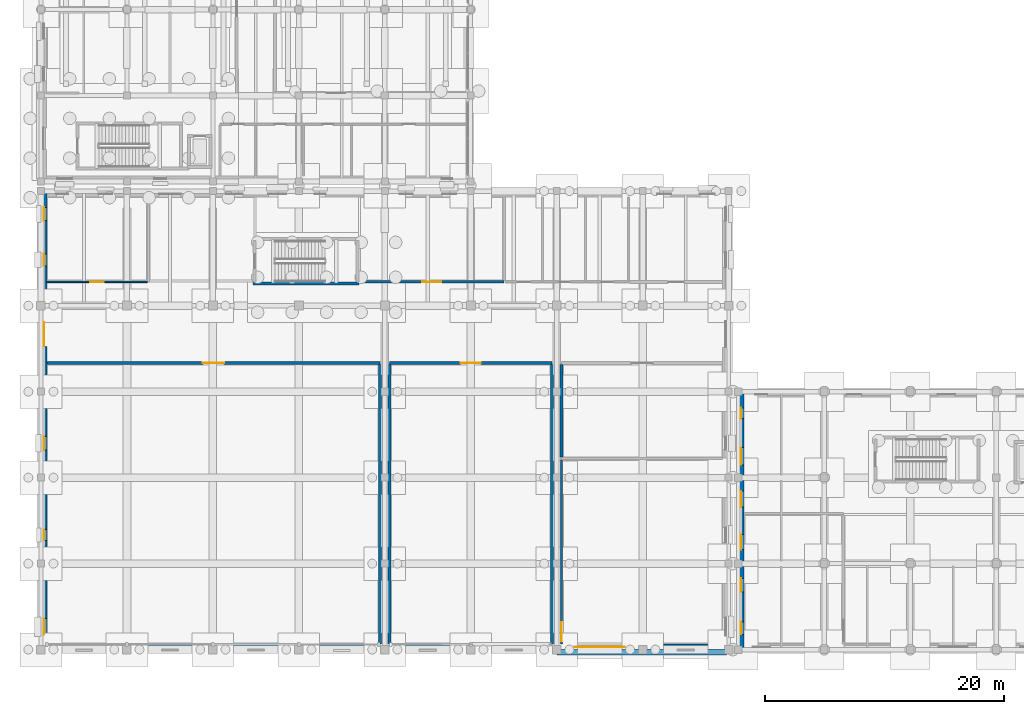
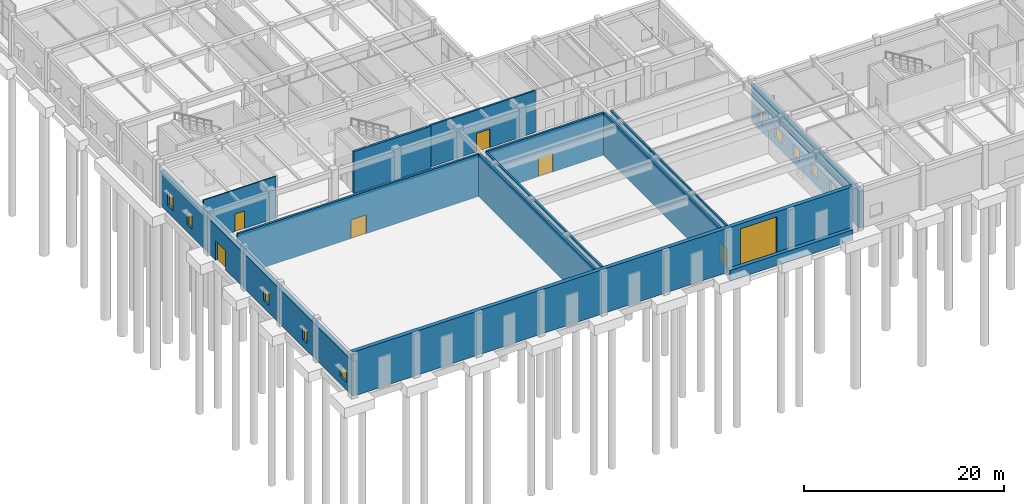
# One storey, part 65 of 91: 14 walls, 11 windows, 7 doors, 18 openings.
"""IFC4 building model written with IfcOpenShell, lengths in metres."""

from ifc_helpers import new_model, si_unit, direction, frame, frame_2d, origin, place, context, subcontext, project, spatial, rectangle, extrude, material, layer, layer_set, type_object, element, fill, save


model = new_model("IFC4")

# Units and contexts
model_context = context("Model", 3, precision=1e-05, world=origin(), true_north=direction((0.0, 1.0)))
body_context = subcontext(model_context, "Body", "Model", "MODEL_VIEW")
ifc_project = project(units=[si_unit("LENGTHUNIT", "METRE"), si_unit("AREAUNIT", "SQUARE_METRE"), si_unit("VOLUMEUNIT", "CUBIC_METRE"), si_unit("PLANEANGLEUNIT", "RADIAN"), si_unit("MASSUNIT", "GRAM", prefix="KILO")], contexts=[model_context])

# Site, building, storey
site_placement = place(None, origin())
site = spatial("IfcSite", under=ifc_project, at=site_placement, CompositionType="ELEMENT")
building_placement = place(site_placement, origin())
building = spatial("IfcBuilding", under=site, at=building_placement, Name="Bramveld Media Centre", CompositionType="ELEMENT")
storey_placement = place(building_placement, origin())
storey = spatial("IfcBuildingStorey", under=building, at=storey_placement, Name="L00", CompositionType="ELEMENT", Elevation=0.0)

# Wall
ifc_material_1 = material(Name="Concrete C40/50 stair & lift core wall", Category="concrete")
ifc_layer_1 = layer(ifc_material_1, 0.25)
ifc_layer_set_1 = layer_set([ifc_layer_1], Name="Concrete C40/50 stair & lift core wall")
wall_type_1 = type_object("IfcWallType", Name="CWALL-SHEAR-250", PredefinedType="SHEAR", material=ifc_layer_set_1)
wall_1_placement = place(storey_placement, frame((17.75, 30.675048828125, 0.0), z_axis=(0.0, 0.0, 1.0), x_axis=(1.0, 0.0, 0.0)))
element("IfcWall", 1, at=wall_1_placement, inside=storey, type_object=wall_type_1, Name="ST-05 L00 stair core shear wall S", PredefinedType="SHEAR", context=body_context, shape_type="SweptSolid", body=[
    extrude(rectangle(XDim=8.89990234375, YDim=0.25, at=frame_2d((4.449951171875, 0.0))), origin(), (0.0, 0.0, 1.0), 5.10009765625),
])

# Wall, openings, door, windows
ifc_material_2 = material(Name="Double-leaf Concrete C40/50 cinema acoustic shell wall with brick outer leaf", Category="masonry")
ifc_layer_2 = layer(ifc_material_2, 0.5)
ifc_layer_set_2 = layer_set([ifc_layer_2], Name="Double-leaf Concrete C40/50 cinema acoustic shell wall with brick outer leaf")
wall_type_2 = type_object("IfcWallType", Name="EW-ACOU-500", PredefinedType="SOLIDWALL", material=ifc_layer_set_2)
wall_2_placement = place(storey_placement, frame((0.25, 0.0, 0.0), z_axis=(0.0, 0.0, 1.0), x_axis=(0.0, 1.0, 0.0)))
wall_2 = element("IfcWall", 2, at=wall_2_placement, inside=storey, type_object=wall_type_2, Name="V2 L00 W facing brick exterior wall", PredefinedType="SOLIDWALL", context=body_context, shape_type="SweptSolid", body=[
    extrude(rectangle(XDim=38.39990234375, YDim=0.5, at=frame_2d((19.199951171875, 0.0))), origin(), (0.0, 0.0, 1.0), 4.2548828125),
])
opening_1_placement = place(wall_2_placement, frame((25.39990234375, 0.0, 0.0)))
opening_1 = element("IfcOpeningElement", 3, at=opening_1_placement, cuts=wall_2, Name="Opening ED-08", PredefinedType="OPENING", context=body_context, shape_type="SweptSolid", body=[
    extrude(rectangle(XDim=2.0, YDim=2.35009765625, at=frame_2d((1.0, 1.175048828125))), frame((0.0, 0.261962890625, 0.0), z_axis=(0.0, -1.0, 0.0), x_axis=(1.0, 0.0, 0.0)), (0.0, 0.0, 1.0), 0.52392578125),
])
opening_2_placement = place(wall_2_placement, frame((1.2451171875, 0.0, 0.89990234375)))
opening_2 = element("IfcOpeningElement", 4, at=opening_2_placement, cuts=wall_2, Name="Opening W-11", PredefinedType="OPENING", context=body_context, shape_type="SweptSolid", body=[
    extrude(rectangle(XDim=1.35009765625, YDim=1.449951171875, at=frame_2d((0.675048828125, 0.72509765625))), frame((0.0, 0.261962890625, 0.0), z_axis=(0.0, -1.0, 0.0), x_axis=(1.0, 0.0, 0.0)), (0.0, 0.0, 1.0), 0.52392578125),
])
opening_3_placement = place(wall_2_placement, frame((9.14990234375, 0.0, 0.89990234375)))
opening_3 = element("IfcOpeningElement", 5, at=opening_3_placement, cuts=wall_2, Name="Opening W-13", PredefinedType="OPENING", context=body_context, shape_type="SweptSolid", body=[
    extrude(rectangle(XDim=0.89990234375, YDim=1.60009765625, at=frame_2d((0.449951171875, 0.800048828125))), frame((0.0, 0.261962890625, 0.0), z_axis=(0.0, -1.0, 0.0), x_axis=(1.0, 0.0, 0.0)), (0.0, 0.0, 1.0), 0.52392578125),
])
opening_4_placement = place(wall_2_placement, frame((16.705078125, 0.0, 0.89990234375)))
opening_4 = element("IfcOpeningElement", 6, at=opening_4_placement, cuts=wall_2, Name="Opening W-15", PredefinedType="OPENING", context=body_context, shape_type="SweptSolid", body=[
    extrude(rectangle(XDim=1.14990234375, YDim=1.60009765625, at=frame_2d((0.574951171875, 0.800048828125))), frame((0.0, 0.261962890625, 0.0), z_axis=(0.0, -1.0, 0.0), x_axis=(1.0, 0.0, 0.0)), (0.0, 0.0, 1.0), 0.52392578125),
])
opening_5_placement = place(wall_2_placement, frame((32.139892578125, 0.0, 0.89990234375)))
opening_5 = element("IfcOpeningElement", 7, at=opening_5_placement, cuts=wall_2, Name="Opening W-19", PredefinedType="OPENING", context=body_context, shape_type="SweptSolid", body=[
    extrude(rectangle(XDim=1.0, YDim=1.75, at=frame_2d((0.5, 0.875))), frame((0.0, 0.261962890625, 0.0), z_axis=(0.0, -1.0, 0.0), x_axis=(1.0, 0.0, 0.0)), (0.0, 0.0, 1.0), 0.52392578125),
])
opening_6_placement = place(wall_2_placement, frame((35.919921875, 0.0, 0.89990234375)))
opening_6 = element("IfcOpeningElement", 8, at=opening_6_placement, cuts=wall_2, Name="Opening W-20", PredefinedType="OPENING", context=body_context, shape_type="SweptSolid", body=[
    extrude(rectangle(XDim=1.1201171875, YDim=1.75, at=frame_2d((0.56005859375, 0.875))), frame((0.0, 0.261962890625, 0.0), z_axis=(0.0, -1.0, 0.0), x_axis=(1.0, 0.0, 0.0)), (0.0, 0.0, 1.0), 0.52392578125),
])
ifc_material_3 = material(Name="Insulated powder-coated bronze aluminium & laminated safety glass door", Category="aluminium")
door_type_1 = type_object("IfcDoorType", Name="DR-EXT-2000", OperationType="NOTDEFINED", PredefinedType="DOOR", material=ifc_material_3)
door_1_placement = place(opening_1_placement, origin())
door_1 = element("IfcDoor", 9, at=door_1_placement, inside=storey, type_object=door_type_1, Name="Exterior door ED-08", OperationType="DOUBLE_DOOR_SINGLE_SWING", OverallHeight=2.35009765625, OverallWidth=2.0, PredefinedType="DOOR", context=body_context, shape_type="SweptSolid", body=[
    extrude(rectangle(XDim=2.0, YDim=2.35009765625, at=frame_2d((1.0, 1.175048828125))), frame((0.0, 0.02490234375, 0.0), z_axis=(0.0, -1.0, 0.0), x_axis=(1.0, 0.0, 0.0)), (0.0, 0.0, 1.0), 0.050048828125),
])
fill(opening_1, door_1)
ifc_material_4 = material(Name="Thermally broken anodized bronze aluminium frame with triple acoustic glazing", Category="aluminium")
window_type_1 = type_object("IfcWindowType", Name="WIN-FAC-11", PartitioningType="SINGLE_PANEL", PredefinedType="WINDOW", material=ifc_material_4)
window_1_placement = place(opening_2_placement, origin())
window_1 = element("IfcWindow", 10, at=window_1_placement, inside=storey, type_object=window_type_1, Name="V2 L00 W acoustic facade window", OverallHeight=1.449951171875, OverallWidth=1.35009765625, PartitioningType="SINGLE_PANEL", PredefinedType="WINDOW", context=body_context, shape_type="SweptSolid", body=[
    extrude(rectangle(XDim=1.35009765625, YDim=1.449951171875, at=frame_2d((0.675048828125, 0.72509765625))), frame((0.0, 0.030029296875, 0.0), z_axis=(0.0, -1.0, 0.0), x_axis=(1.0, 0.0, 0.0)), (0.0, 0.0, 1.0), 0.06005859375),
])
fill(opening_2, window_1)
ifc_material_5 = material(Name="Thermally broken anodized bronze aluminium frame with triple acoustic glazing", Category="aluminium")
window_type_2 = type_object("IfcWindowType", Name="WIN-FAC-13", PartitioningType="SINGLE_PANEL", PredefinedType="WINDOW", material=ifc_material_5)
window_2_placement = place(opening_3_placement, origin())
window_2 = element("IfcWindow", 11, at=window_2_placement, inside=storey, type_object=window_type_2, Name="V2 L00 W acoustic facade window", OverallHeight=1.60009765625, OverallWidth=0.89990234375, PartitioningType="SINGLE_PANEL", PredefinedType="WINDOW", context=body_context, shape_type="SweptSolid", body=[
    extrude(rectangle(XDim=0.89990234375, YDim=1.60009765625, at=frame_2d((0.449951171875, 0.800048828125))), frame((0.0, 0.030029296875, 0.0), z_axis=(0.0, -1.0, 0.0), x_axis=(1.0, 0.0, 0.0)), (0.0, 0.0, 1.0), 0.06005859375),
])
fill(opening_3, window_2)
ifc_material_6 = material(Name="Thermally broken anodized bronze aluminium frame with triple acoustic glazing", Category="aluminium")
window_type_3 = type_object("IfcWindowType", Name="WIN-FAC-15", PartitioningType="SINGLE_PANEL", PredefinedType="WINDOW", material=ifc_material_6)
window_3_placement = place(opening_4_placement, origin())
window_3 = element("IfcWindow", 12, at=window_3_placement, inside=storey, type_object=window_type_3, Name="V2 L00 W acoustic facade window", OverallHeight=1.60009765625, OverallWidth=1.14990234375, PartitioningType="SINGLE_PANEL", PredefinedType="WINDOW", context=body_context, shape_type="SweptSolid", body=[
    extrude(rectangle(XDim=1.14990234375, YDim=1.60009765625, at=frame_2d((0.574951171875, 0.800048828125))), frame((0.0, 0.030029296875, 0.0), z_axis=(0.0, -1.0, 0.0), x_axis=(1.0, 0.0, 0.0)), (0.0, 0.0, 1.0), 0.06005859375),
])
fill(opening_4, window_3)
ifc_material_7 = material(Name="Thermally broken anodized bronze aluminium frame with triple acoustic glazing", Category="aluminium")
window_type_4 = type_object("IfcWindowType", Name="WIN-FAC-19", PartitioningType="SINGLE_PANEL", PredefinedType="WINDOW", material=ifc_material_7)
window_4_placement = place(opening_5_placement, origin())
window_4 = element("IfcWindow", 13, at=window_4_placement, inside=storey, type_object=window_type_4, Name="V2 L00 W acoustic facade window", OverallHeight=1.75, OverallWidth=1.0, PartitioningType="SINGLE_PANEL", PredefinedType="WINDOW", context=body_context, shape_type="SweptSolid", body=[
    extrude(rectangle(XDim=1.0, YDim=1.75, at=frame_2d((0.5, 0.875))), frame((0.0, 0.030029296875, 0.0), z_axis=(0.0, -1.0, 0.0), x_axis=(1.0, 0.0, 0.0)), (0.0, 0.0, 1.0), 0.06005859375),
])
fill(opening_5, window_4)
ifc_material_8 = material(Name="Thermally broken anodized bronze aluminium frame with triple acoustic glazing", Category="aluminium")
window_type_5 = type_object("IfcWindowType", Name="WIN-FAC-20", PartitioningType="SINGLE_PANEL", PredefinedType="WINDOW", material=ifc_material_8)
window_5_placement = place(opening_6_placement, origin())
window_5 = element("IfcWindow", 14, at=window_5_placement, inside=storey, type_object=window_type_5, Name="V2 L00 W acoustic facade window", OverallHeight=1.75, OverallWidth=1.1201171875, PartitioningType="SINGLE_PANEL", PredefinedType="WINDOW", context=body_context, shape_type="SweptSolid", body=[
    extrude(rectangle(XDim=1.1201171875, YDim=1.75, at=frame_2d((0.56005859375, 0.875))), frame((0.0, 0.030029296875, 0.0), z_axis=(0.0, -1.0, 0.0), x_axis=(1.0, 0.0, 0.0)), (0.0, 0.0, 1.0), 0.06005859375),
])
fill(opening_6, window_5)

# Wall, opening, door
ifc_material_9 = material(Name="Flemish red-brown clay facing brick cavity wall with concrete C35/45 inner leaf", Category="masonry")
ifc_layer_3 = layer(ifc_material_9, 0.4599609375)
ifc_layer_set_3 = layer_set([ifc_layer_3], Name="Flemish red-brown clay facing brick cavity wall with concrete C35/45 inner leaf")
wall_type_3 = type_object("IfcWallType", Name="EW-BRK-460", PredefinedType="SOLIDWALL", material=ifc_layer_set_3)
wall_3_placement = place(storey_placement, frame((57.60009765625, 0.22998046875, 0.0), z_axis=(0.0, 0.0, 1.0), x_axis=(-1.0, 0.0, 0.0)))
wall_3 = element("IfcWall", 15, at=wall_3_placement, inside=storey, type_object=wall_type_3, Name="V2 L00 S facing brick exterior wall", PredefinedType="SOLIDWALL", context=body_context, shape_type="SweptSolid", body=[
    extrude(rectangle(XDim=57.60009765625, YDim=0.4599609375, at=frame_2d((28.800048828125, 0.0))), origin(), (0.0, 0.0, 1.0), 5.39990234375),
])
opening_7_placement = place(wall_3_placement, frame((8.699951171875, 0.0, 0.0)))
opening_7 = element("IfcOpeningElement", 16, at=opening_7_placement, cuts=wall_3, Name="Opening LD-DOCK-01", PredefinedType="OPENING", context=body_context, shape_type="SweptSolid", body=[
    extrude(rectangle(XDim=4.199951171875, YDim=4.800048828125, at=frame_2d((2.10009765625, 2.39990234375))), frame((0.0, 0.241943359375, 0.0), z_axis=(0.0, -1.0, 0.0), x_axis=(1.0, 0.0, 0.0)), (0.0, 0.0, 1.0), 0.48388671875),
])
ifc_material_10 = material(Name="Insulated galvanized acoustic steel rolling shutter", Category="steel")
door_type_2 = type_object("IfcDoorType", Name="DR-DOCK-4200", OperationType="ROLLINGUP", PredefinedType="GATE", material=ifc_material_10)
door_2_placement = place(opening_7_placement, origin())
door_2 = element("IfcDoor", 17, at=door_2_placement, inside=storey, type_object=door_type_2, Name="Exterior door LD-DOCK-01", OperationType="ROLLINGUP", OverallHeight=4.800048828125, OverallWidth=4.199951171875, PredefinedType="GATE", context=body_context, shape_type="SweptSolid", body=[
    extrude(rectangle(XDim=4.199951171875, YDim=4.800048828125, at=frame_2d((2.10009765625, 2.39990234375))), frame((0.0, 0.02490234375, 0.0), z_axis=(0.0, -1.0, 0.0), x_axis=(1.0, 0.0, 0.0)), (0.0, 0.0, 1.0), 0.050048828125),
])
fill(opening_7, door_2)

# Wall, openings, windows
wall_4_placement = place(storey_placement, frame((58.6298828125, 0.0, 0.0), z_axis=(0.0, 0.0, 1.0), x_axis=(0.0, 1.0, 0.0)))
wall_4 = element("IfcWall", 18, at=wall_4_placement, inside=storey, type_object=wall_type_3, Name="V5 L00 W facing brick exterior wall", PredefinedType="SOLIDWALL", context=body_context, shape_type="SweptSolid", body=[
    extrude(rectangle(XDim=21.60009765625, YDim=0.4599609375, at=frame_2d((10.800048828125, 0.0))), origin(), (0.0, 0.0, 1.0), 4.544921875),
])
opening_8_placement = place(wall_4_placement, frame((1.27490234375, 0.0, 0.89990234375)))
opening_8 = element("IfcOpeningElement", 19, at=opening_8_placement, cuts=wall_4, Name="Opening W-08", PredefinedType="OPENING", context=body_context, shape_type="SweptSolid", body=[
    extrude(rectangle(XDim=1.050048828125, YDim=1.449951171875, at=frame_2d((0.52490234375, 0.72509765625))), frame((0.0, 0.241943359375, 0.0), z_axis=(0.0, -1.0, 0.0), x_axis=(1.0, 0.0, 0.0)), (0.0, 0.0, 1.0), 0.48388671875),
])
opening_9_placement = place(wall_4_placement, frame((4.824951171875, 0.0, 0.89990234375)))
opening_9 = element("IfcOpeningElement", 20, at=opening_9_placement, cuts=wall_4, Name="Opening W-09", PredefinedType="OPENING", context=body_context, shape_type="SweptSolid", body=[
    extrude(rectangle(XDim=1.14990234375, YDim=1.449951171875, at=frame_2d((0.574951171875, 0.72509765625))), frame((0.0, 0.241943359375, 0.0), z_axis=(0.0, -1.0, 0.0), x_axis=(1.0, 0.0, 0.0)), (0.0, 0.0, 1.0), 0.48388671875),
])
opening_10_placement = place(wall_4_placement, frame((8.375, 0.0, 0.89990234375)))
opening_10 = element("IfcOpeningElement", 21, at=opening_10_placement, cuts=wall_4, Name="Opening W-10", PredefinedType="OPENING", context=body_context, shape_type="SweptSolid", body=[
    extrude(rectangle(XDim=1.25, YDim=1.449951171875, at=frame_2d((0.625, 0.72509765625))), frame((0.0, 0.241943359375, 0.0), z_axis=(0.0, -1.0, 0.0), x_axis=(1.0, 0.0, 0.0)), (0.0, 0.0, 1.0), 0.48388671875),
])
opening_11_placement = place(wall_4_placement, frame((11.925048828125, 0.0, 0.89990234375)))
opening_11 = element("IfcOpeningElement", 22, at=opening_11_placement, cuts=wall_4, Name="Opening W-11", PredefinedType="OPENING", context=body_context, shape_type="SweptSolid", body=[
    extrude(rectangle(XDim=1.35009765625, YDim=1.449951171875, at=frame_2d((0.675048828125, 0.72509765625))), frame((0.0, 0.241943359375, 0.0), z_axis=(0.0, -1.0, 0.0), x_axis=(1.0, 0.0, 0.0)), (0.0, 0.0, 1.0), 0.48388671875),
])
opening_12_placement = place(wall_4_placement, frame((15.47509765625, 0.0, 0.89990234375)))
opening_12 = element("IfcOpeningElement", 23, at=opening_12_placement, cuts=wall_4, Name="Opening W-12", PredefinedType="OPENING", context=body_context, shape_type="SweptSolid", body=[
    extrude(rectangle(XDim=1.449951171875, YDim=1.449951171875, at=frame_2d((0.72509765625, 0.72509765625))), frame((0.0, 0.241943359375, 0.0), z_axis=(0.0, -1.0, 0.0), x_axis=(1.0, 0.0, 0.0)), (0.0, 0.0, 1.0), 0.48388671875),
])
opening_13_placement = place(wall_4_placement, frame((19.35009765625, 0.0, 0.89990234375)))
opening_13 = element("IfcOpeningElement", 24, at=opening_13_placement, cuts=wall_4, Name="Opening W-13", PredefinedType="OPENING", context=body_context, shape_type="SweptSolid", body=[
    extrude(rectangle(XDim=0.89990234375, YDim=1.60009765625, at=frame_2d((0.449951171875, 0.800048828125))), frame((0.0, 0.241943359375, 0.0), z_axis=(0.0, -1.0, 0.0), x_axis=(1.0, 0.0, 0.0)), (0.0, 0.0, 1.0), 0.48388671875),
])
ifc_material_11 = material(Name="Thermally broken anodized bronze aluminium frame with triple acoustic glazing", Category="aluminium")
window_type_6 = type_object("IfcWindowType", Name="WIN-FAC-08", PartitioningType="SINGLE_PANEL", PredefinedType="WINDOW", material=ifc_material_11)
window_6_placement = place(opening_8_placement, origin())
window_6 = element("IfcWindow", 25, at=window_6_placement, inside=storey, type_object=window_type_6, Name="V5 L00 W acoustic facade window", OverallHeight=1.449951171875, OverallWidth=1.050048828125, PartitioningType="SINGLE_PANEL", PredefinedType="WINDOW", context=body_context, shape_type="SweptSolid", body=[
    extrude(rectangle(XDim=1.050048828125, YDim=1.449951171875, at=frame_2d((0.52490234375, 0.72509765625))), frame((0.0, 0.030029296875, 0.0), z_axis=(0.0, -1.0, 0.0), x_axis=(1.0, 0.0, 0.0)), (0.0, 0.0, 1.0), 0.06005859375),
])
fill(opening_8, window_6)
ifc_material_12 = material(Name="Thermally broken anodized bronze aluminium frame with triple acoustic glazing", Category="aluminium")
window_type_7 = type_object("IfcWindowType", Name="WIN-FAC-09", PartitioningType="SINGLE_PANEL", PredefinedType="WINDOW", material=ifc_material_12)
window_7_placement = place(opening_9_placement, origin())
window_7 = element("IfcWindow", 26, at=window_7_placement, inside=storey, type_object=window_type_7, Name="V5 L00 W acoustic facade window", OverallHeight=1.449951171875, OverallWidth=1.14990234375, PartitioningType="SINGLE_PANEL", PredefinedType="WINDOW", context=body_context, shape_type="SweptSolid", body=[
    extrude(rectangle(XDim=1.14990234375, YDim=1.449951171875, at=frame_2d((0.574951171875, 0.72509765625))), frame((0.0, 0.030029296875, 0.0), z_axis=(0.0, -1.0, 0.0), x_axis=(1.0, 0.0, 0.0)), (0.0, 0.0, 1.0), 0.06005859375),
])
fill(opening_9, window_7)
ifc_material_13 = material(Name="Thermally broken anodized bronze aluminium frame with triple acoustic glazing", Category="aluminium")
window_type_8 = type_object("IfcWindowType", Name="WIN-FAC-10", PartitioningType="SINGLE_PANEL", PredefinedType="WINDOW", material=ifc_material_13)
window_8_placement = place(opening_10_placement, origin())
window_8 = element("IfcWindow", 27, at=window_8_placement, inside=storey, type_object=window_type_8, Name="V5 L00 W acoustic facade window", OverallHeight=1.449951171875, OverallWidth=1.25, PartitioningType="SINGLE_PANEL", PredefinedType="WINDOW", context=body_context, shape_type="SweptSolid", body=[
    extrude(rectangle(XDim=1.25, YDim=1.449951171875, at=frame_2d((0.625, 0.72509765625))), frame((0.0, 0.030029296875, 0.0), z_axis=(0.0, -1.0, 0.0), x_axis=(1.0, 0.0, 0.0)), (0.0, 0.0, 1.0), 0.06005859375),
])
fill(opening_10, window_8)
window_9_placement = place(opening_11_placement, origin())
window_9 = element("IfcWindow", 28, at=window_9_placement, inside=storey, type_object=window_type_1, Name="V5 L00 W acoustic facade window", OverallHeight=1.449951171875, OverallWidth=1.35009765625, PartitioningType="SINGLE_PANEL", PredefinedType="WINDOW", context=body_context, shape_type="SweptSolid", body=[
    extrude(rectangle(XDim=1.35009765625, YDim=1.449951171875, at=frame_2d((0.675048828125, 0.72509765625))), frame((0.0, 0.030029296875, 0.0), z_axis=(0.0, -1.0, 0.0), x_axis=(1.0, 0.0, 0.0)), (0.0, 0.0, 1.0), 0.06005859375),
])
fill(opening_11, window_9)
ifc_material_14 = material(Name="Thermally broken anodized bronze aluminium frame with triple acoustic glazing", Category="aluminium")
window_type_9 = type_object("IfcWindowType", Name="WIN-FAC-12", PartitioningType="SINGLE_PANEL", PredefinedType="WINDOW", material=ifc_material_14)
window_10_placement = place(opening_12_placement, origin())
window_10 = element("IfcWindow", 29, at=window_10_placement, inside=storey, type_object=window_type_9, Name="V5 L00 W acoustic facade window", OverallHeight=1.449951171875, OverallWidth=1.449951171875, PartitioningType="SINGLE_PANEL", PredefinedType="WINDOW", context=body_context, shape_type="SweptSolid", body=[
    extrude(rectangle(XDim=1.449951171875, YDim=1.449951171875, at=frame_2d((0.72509765625, 0.72509765625))), frame((0.0, 0.030029296875, 0.0), z_axis=(0.0, -1.0, 0.0), x_axis=(1.0, 0.0, 0.0)), (0.0, 0.0, 1.0), 0.06005859375),
])
fill(opening_12, window_10)
window_11_placement = place(opening_13_placement, origin())
window_11 = element("IfcWindow", 30, at=window_11_placement, inside=storey, type_object=window_type_2, Name="V5 L00 W acoustic facade window", OverallHeight=1.60009765625, OverallWidth=0.89990234375, PartitioningType="SINGLE_PANEL", PredefinedType="WINDOW", context=body_context, shape_type="SweptSolid", body=[
    extrude(rectangle(XDim=0.89990234375, YDim=1.60009765625, at=frame_2d((0.449951171875, 0.800048828125))), frame((0.0, 0.030029296875, 0.0), z_axis=(0.0, -1.0, 0.0), x_axis=(1.0, 0.0, 0.0)), (0.0, 0.0, 1.0), 0.06005859375),
])
fill(opening_13, window_11)

# Wall, opening, door
ifc_material_15 = material(Name="Acoustic calcium-silicate & mineral-wool compartment partition", Category="masonry")
ifc_layer_4 = layer(ifc_material_15, 0.199951171875)
ifc_layer_set_4 = layer_set([ifc_layer_4], Name="Acoustic calcium-silicate & mineral-wool compartment partition")
wall_type_4 = type_object("IfcWallType", Name="IW-ACOU-200", PredefinedType="PARTITIONING", material=ifc_layer_set_4)
wall_5_placement = place(storey_placement, frame((43.60009765625, 0.469970703125, 0.0), z_axis=(0.0, 0.0, 1.0), x_axis=(0.0, 1.0, 0.0)))
wall_5 = element("IfcWall", 31, at=wall_5_placement, inside=storey, type_object=wall_type_4, Name="Scenic Dock & Acoustic Loading Bay partition wall", PredefinedType="PARTITIONING", context=body_context, shape_type="SweptSolid", body=[
    extrude(rectangle(XDim=15.419921875, YDim=0.199951171875, at=frame_2d((7.7099609375, 0.0))), origin(), (0.0, 0.0, 1.0), 5.14990234375),
])
opening_14_placement = place(wall_5_placement, frame((0.25, 0.0, 0.0)))
opening_14 = element("IfcOpeningElement", 32, at=opening_14_placement, cuts=wall_5, Name="Opening D-00-009", PredefinedType="OPENING", context=body_context, shape_type="SweptSolid", body=[
    extrude(rectangle(XDim=1.56005859375, YDim=2.25, at=frame_2d((0.780029296875, 1.125))), frame((0.0, 0.11181640625, 0.0), z_axis=(0.0, -1.0, 0.0), x_axis=(1.0, 0.0, 0.0)), (0.0, 0.0, 1.0), 0.223876953125),
])
ifc_material_16 = material(Name="Fire-rated acoustic timber & steel composite door", Category="steel")
door_type_3 = type_object("IfcDoorType", Name="DR-HALL-1560", OperationType="NOTDEFINED", PredefinedType="DOOR", material=ifc_material_16)
door_3_placement = place(opening_14_placement, origin())
door_3 = element("IfcDoor", 33, at=door_3_placement, inside=storey, type_object=door_type_3, Name="Scenic Dock & Acoustic Loading Bay entrance door", OperationType="DOUBLE_DOOR_SINGLE_SWING", OverallHeight=2.25, OverallWidth=1.56005859375, PredefinedType="DOOR", context=body_context, shape_type="SweptSolid", body=[
    extrude(rectangle(XDim=1.56005859375, YDim=2.25, at=frame_2d((0.780029296875, 1.125))), frame((0.0, 0.02490234375, 0.0), z_axis=(0.0, -1.0, 0.0), x_axis=(1.0, 0.0, 0.0)), (0.0, 0.0, 1.0), 0.050048828125),
])
fill(opening_14, door_3)

wall_6_placement = place(storey_placement, frame((26.659912109375, 30.800048828125, 0.0), z_axis=(0.0, 0.0, 1.0), x_axis=(1.0, 0.0, 0.0)))
wall_6 = element("IfcWall", 34, at=wall_6_placement, inside=storey, type_object=wall_type_4, Name="Wardrobe & Make-Up Suite partition wall", PredefinedType="PARTITIONING", context=body_context, shape_type="SweptSolid", body=[
    extrude(rectangle(XDim=12.14013671875, YDim=0.199951171875, at=frame_2d((6.070068359375, 0.0))), origin(), (0.0, 0.0, 1.0), 5.10009765625),
])
opening_15_placement = place(wall_6_placement, frame((5.2900390625, 0.0, 0.0)))
opening_15 = element("IfcOpeningElement", 35, at=opening_15_placement, cuts=wall_6, Name="Opening D-00-012", PredefinedType="OPENING", context=body_context, shape_type="SweptSolid", body=[
    extrude(rectangle(XDim=1.56005859375, YDim=2.25, at=frame_2d((0.780029296875, 1.125))), frame((0.0, 0.11181640625, 0.0), z_axis=(0.0, -1.0, 0.0), x_axis=(1.0, 0.0, 0.0)), (0.0, 0.0, 1.0), 0.223876953125),
])
door_4_placement = place(opening_15_placement, origin())
door_4 = element("IfcDoor", 36, at=door_4_placement, inside=storey, type_object=door_type_3, Name="Wardrobe & Make-Up Suite entrance door", OperationType="DOUBLE_DOOR_SINGLE_SWING", OverallHeight=2.25, OverallWidth=1.56005859375, PredefinedType="DOOR", context=body_context, shape_type="SweptSolid", body=[
    extrude(rectangle(XDim=1.56005859375, YDim=2.25, at=frame_2d((0.780029296875, 1.125))), frame((0.0, 0.02490234375, 0.0), z_axis=(0.0, -1.0, 0.0), x_axis=(1.0, 0.0, 0.0)), (0.0, 0.0, 1.0), 0.050048828125),
])
fill(opening_15, door_4)

ifc_material_17 = material(Name="Double-stud acoustic gypsum & mineral-wool studio wall", Category="gypsum")
ifc_layer_5 = layer(ifc_material_17, 0.239990234375)
ifc_layer_set_5 = layer_set([ifc_layer_5], Name="Double-stud acoustic gypsum & mineral-wool studio wall")
wall_type_5 = type_object("IfcWallType", Name="IW-ACOU-240", PredefinedType="PARTITIONING", material=ifc_layer_set_5)
wall_7_placement = place(storey_placement, frame((0.510009765625, 24.0, 0.0), z_axis=(0.0, 0.0, 1.0), x_axis=(1.0, 0.0, 0.0)))
wall_7 = element("IfcWall", 37, at=wall_7_placement, inside=storey, type_object=wall_type_5, Name="Live Broadcast Studio 1 Multicamera Floor partition wall", PredefinedType="PARTITIONING", context=body_context, shape_type="SweptSolid", body=[
    extrude(rectangle(XDim=27.889892578125, YDim=0.239990234375, at=frame_2d((13.94482421875, 0.0))), origin(), (0.0, 0.0, 1.0), 5.14990234375),
])
opening_16_placement = place(wall_7_placement, frame((13.06494140625, 0.0, 0.0)))
opening_16 = element("IfcOpeningElement", 38, at=opening_16_placement, cuts=wall_7, Name="Opening D-00-007", PredefinedType="OPENING", context=body_context, shape_type="SweptSolid", body=[
    extrude(rectangle(XDim=1.760009765625, YDim=2.300048828125, at=frame_2d((0.8798828125, 1.14990234375))), frame((0.0, 0.1318359375, 0.0), z_axis=(0.0, -1.0, 0.0), x_axis=(1.0, 0.0, 0.0)), (0.0, 0.0, 1.0), 0.263916015625),
])
ifc_material_18 = material(Name="Fire-rated acoustic timber & steel composite door", Category="steel")
door_type_4 = type_object("IfcDoorType", Name="DR-HALL-1760", OperationType="NOTDEFINED", PredefinedType="DOOR", material=ifc_material_18)
door_5_placement = place(opening_16_placement, origin())
door_5 = element("IfcDoor", 39, at=door_5_placement, inside=storey, type_object=door_type_4, Name="Live Broadcast Studio 1 Multicamera Floor entrance door", OperationType="DOUBLE_DOOR_SINGLE_SWING", OverallHeight=2.300048828125, OverallWidth=1.760009765625, PredefinedType="DOOR", context=body_context, shape_type="SweptSolid", body=[
    extrude(rectangle(XDim=1.760009765625, YDim=2.300048828125, at=frame_2d((0.8798828125, 1.14990234375))), frame((0.0, 0.02490234375, 0.0), z_axis=(0.0, -1.0, 0.0), x_axis=(1.0, 0.0, 0.0)), (0.0, 0.0, 1.0), 0.050048828125),
])
fill(opening_16, door_5)

# Wall
wall_8_placement = place(storey_placement, frame((28.39990234375, 0.469970703125, 0.0), z_axis=(0.0, 0.0, 1.0), x_axis=(0.0, 1.0, 0.0)))
element("IfcWall", 40, at=wall_8_placement, inside=storey, type_object=wall_type_5, Name="Live Broadcast Studio 1 Multicamera Floor partition wall", PredefinedType="PARTITIONING", context=body_context, shape_type="SweptSolid", body=[
    extrude(rectangle(XDim=23.400146484375, YDim=0.239990234375, at=frame_2d((11.7001953125, 0.0))), origin(), (0.0, 0.0, 1.0), 5.14990234375),
])

# Wall, opening, door
wall_9_placement = place(storey_placement, frame((29.199951171875, 24.0, 0.0), z_axis=(0.0, 0.0, 1.0), x_axis=(1.0, 0.0, 0.0)))
wall_9 = element("IfcWall", 41, at=wall_9_placement, inside=storey, type_object=wall_type_5, Name="Live Broadcast Studio 2 News & Debate Stage partition wall", PredefinedType="PARTITIONING", context=body_context, shape_type="SweptSolid", body=[
    extrude(rectangle(XDim=13.60009765625, YDim=0.239990234375, at=frame_2d((6.800048828125, 0.0))), origin(), (0.0, 0.0, 1.0), 5.14990234375),
])
opening_17_placement = place(wall_9_placement, frame((5.9599609375, 0.0, 0.0)))
opening_17 = element("IfcOpeningElement", 42, at=opening_17_placement, cuts=wall_9, Name="Opening D-00-008", PredefinedType="OPENING", context=body_context, shape_type="SweptSolid", body=[
    extrude(rectangle(XDim=1.679931640625, YDim=2.300048828125, at=frame_2d((0.83984375, 1.14990234375))), frame((0.0, 0.1318359375, 0.0), z_axis=(0.0, -1.0, 0.0), x_axis=(1.0, 0.0, 0.0)), (0.0, 0.0, 1.0), 0.263916015625),
])
ifc_material_19 = material(Name="Fire-rated acoustic timber & steel composite door", Category="steel")
door_type_5 = type_object("IfcDoorType", Name="DR-HALL-1680", OperationType="NOTDEFINED", PredefinedType="DOOR", material=ifc_material_19)
door_6_placement = place(opening_17_placement, origin())
door_6 = element("IfcDoor", 43, at=door_6_placement, inside=storey, type_object=door_type_5, Name="Live Broadcast Studio 2 News & Debate Stage entrance door", OperationType="DOUBLE_DOOR_SINGLE_SWING", OverallHeight=2.300048828125, OverallWidth=1.679931640625, PredefinedType="DOOR", context=body_context, shape_type="SweptSolid", body=[
    extrude(rectangle(XDim=1.679931640625, YDim=2.300048828125, at=frame_2d((0.83984375, 1.14990234375))), frame((0.0, 0.02490234375, 0.0), z_axis=(0.0, -1.0, 0.0), x_axis=(1.0, 0.0, 0.0)), (0.0, 0.0, 1.0), 0.050048828125),
])
fill(opening_17, door_6)

# Walls
for number, where, z_axis, x_axis, name in (
    (44, (29.199951171875, 0.469970703125, 0.0), (0.0, 0.0, 1.0), (0.0, 1.0, 0.0), "Live Broadcast Studio 2 News & Debate Stage partition wall"),
    (45, (42.800048828125, 0.469970703125, 0.0), (0.0, 0.0, 1.0), (0.0, 1.0, 0.0), "Live Broadcast Studio 2 News & Debate Stage partition wall"),
):
    element("IfcWall", number, at=place(storey_placement, frame(where, z_axis=z_axis, x_axis=x_axis)), inside=storey, type_object=wall_type_5, Name=name, PredefinedType="PARTITIONING", context=body_context, shape_type="SweptSolid", body=[
        extrude(rectangle(XDim=23.400146484375, YDim=0.239990234375, at=frame_2d((11.7001953125, 0.0))), origin(), (0.0, 0.0, 1.0), 5.14990234375),
    ])
wall_10_placement = place(storey_placement, frame((43.60009765625, 16.110107421875, 0.0), z_axis=(0.0, 0.0, 1.0), x_axis=(0.0, 1.0, 0.0)))
element("IfcWall", 46, at=wall_10_placement, inside=storey, type_object=wall_type_5, Name="Live Broadcast Studio 3 Foley & Orchestral Stage partition wall", PredefinedType="PARTITIONING", context=body_context, shape_type="SweptSolid", body=[
    extrude(rectangle(XDim=7.760009765625, YDim=0.239990234375, at=frame_2d((3.8798828125, 0.0))), origin(), (0.0, 0.0, 1.0), 5.14990234375),
])

# Wall, opening, door
ifc_material_20 = material(Name="Lightweight acoustic stud partition", Category="gypsum")
ifc_layer_6 = layer(ifc_material_20, 0.125)
ifc_layer_set_6 = layer_set([ifc_layer_6], Name="Lightweight acoustic stud partition")
wall_type_6 = type_object("IfcWallType", Name="IW-PART-125", PredefinedType="PARTITIONING", material=ifc_layer_set_6)
wall_11_placement = place(storey_placement, frame((0.510009765625, 30.800048828125, 0.0), z_axis=(0.0, 0.0, 1.0), x_axis=(1.0, 0.0, 0.0)))
wall_11 = element("IfcWall", 47, at=wall_11_placement, inside=storey, type_object=wall_type_6, Name="Green Room & Artist Lounge partition wall", PredefinedType="PARTITIONING", context=body_context, shape_type="SweptSolid", body=[
    extrude(rectangle(XDim=8.389892578125, YDim=0.125, at=frame_2d((4.19482421875, 0.0))), origin(), (0.0, 0.0, 1.0), 5.10009765625),
])
opening_18_placement = place(wall_11_placement, frame((3.635009765625, 0.0, 0.0)))
opening_18 = element("IfcOpeningElement", 48, at=opening_18_placement, cuts=wall_11, Name="Opening D-00-011", PredefinedType="OPENING", context=body_context, shape_type="SweptSolid", body=[
    extrude(rectangle(XDim=1.1201171875, YDim=2.14990234375, at=frame_2d((0.56005859375, 1.074951171875))), frame((0.0, 0.074462890625, 0.0), z_axis=(0.0, -1.0, 0.0), x_axis=(1.0, 0.0, 0.0)), (0.0, 0.0, 1.0), 0.14892578125),
])
ifc_material_21 = material(Name="Solid-core European oak acoustic timber leaf in steel frame", Category="steel")
door_type_6 = type_object("IfcDoorType", Name="DR-RM-1120", OperationType="NOTDEFINED", PredefinedType="DOOR", material=ifc_material_21)
door_7_placement = place(opening_18_placement, origin())
door_7 = element("IfcDoor", 49, at=door_7_placement, inside=storey, type_object=door_type_6, Name="Green Room & Artist Lounge entrance door", OperationType="SINGLE_SWING_LEFT", OverallHeight=2.14990234375, OverallWidth=1.1201171875, PredefinedType="DOOR", context=body_context, shape_type="SweptSolid", body=[
    extrude(rectangle(XDim=1.1201171875, YDim=2.14990234375, at=frame_2d((0.56005859375, 1.074951171875))), frame((0.0, 0.02490234375, 0.0), z_axis=(0.0, -1.0, 0.0), x_axis=(1.0, 0.0, 0.0)), (0.0, 0.0, 1.0), 0.050048828125),
])
fill(opening_18, door_7)

# Wall
ifc_material_22 = material(Name="Concrete C35/45 acoustic loading apron retaining wall", Category="concrete")
ifc_layer_7 = layer(ifc_material_22, 0.43994140625)
ifc_layer_set_7 = layer_set([ifc_layer_7], Name="Concrete C35/45 acoustic loading apron retaining wall")
wall_type_7 = type_object("IfcWallType", Name="RETAIN-440", PredefinedType="USERDEFINED", material=ifc_layer_set_7)
wall_12_placement = place(storey_placement, frame((43.199951171875, -0.219970703125, -0.800048828125), z_axis=(0.0, 0.0, 1.0), x_axis=(1.0, 0.0, 0.0)))
element("IfcWall", 50, at=wall_12_placement, inside=storey, type_object=wall_type_7, Name="Site retaining wall RW-APRON-01", ObjectType="RETAININGWALL", PredefinedType="USERDEFINED", context=body_context, shape_type="SweptSolid", body=[
    extrude(rectangle(XDim=14.199951171875, YDim=0.43994140625, at=frame_2d((7.10009765625, 0.0))), origin(), (0.0, 0.0, 1.0), 1.300048828125),
])

save(model, "model.ifc")
